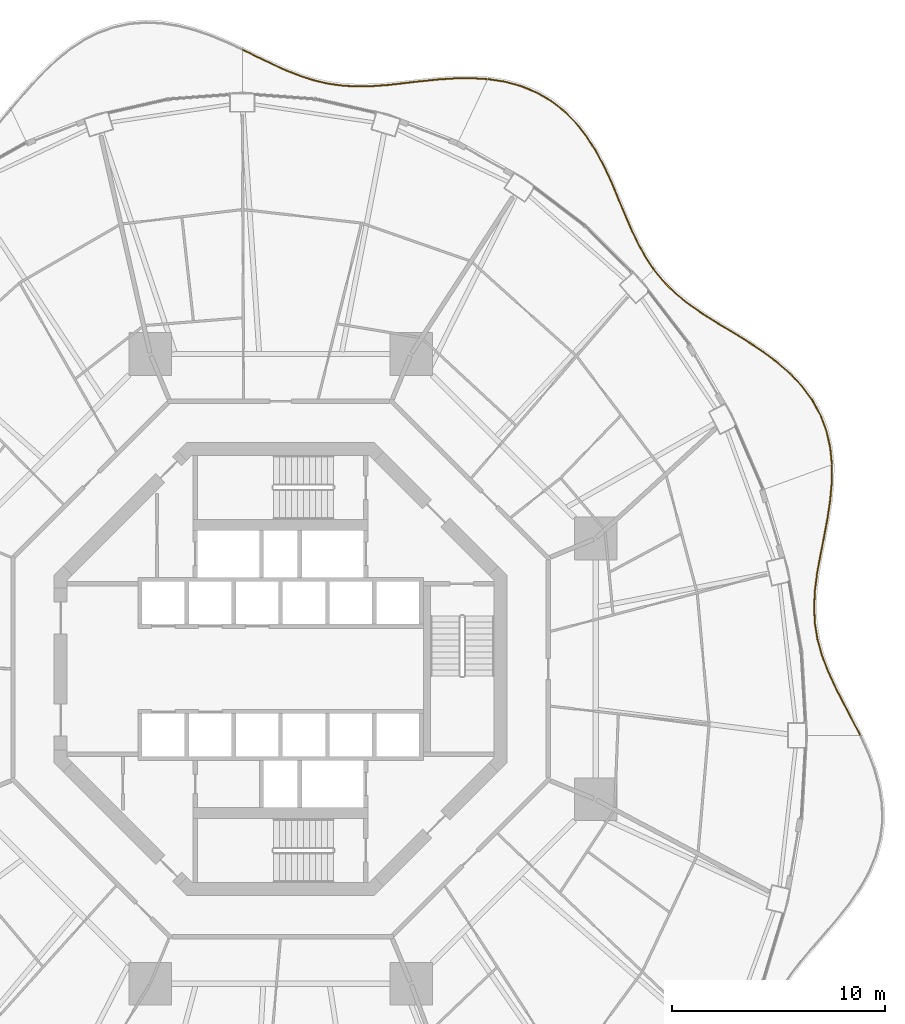
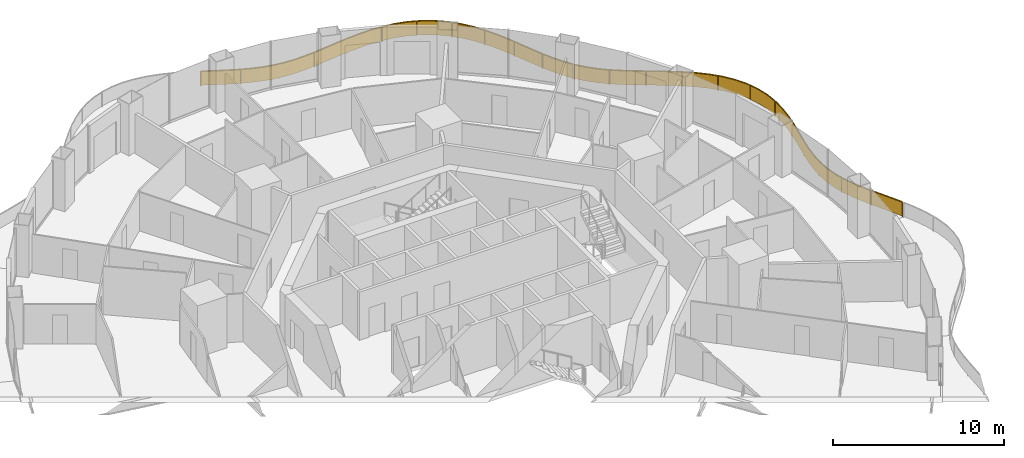
# One storey, part 20 of 20: 4 railings.
"""IFC4 building model written with IfcOpenShell, lengths in metres."""

from ifc_helpers import new_model, si_unit, direction, frame, origin, origin_2d, place, context, subcontext, project, spatial, polyline, rectangle, outline, extrude, material, type_object, element, save


model = new_model("IFC4")

# Units and contexts
model_context = context("Model", 3, precision=1e-05, world=origin(), true_north=direction((0.0, 1.0)))
body_context = subcontext(model_context, "Body", "Model", "MODEL_VIEW")
ifc_project = project(units=[si_unit("LENGTHUNIT", "METRE"), si_unit("AREAUNIT", "SQUARE_METRE"), si_unit("VOLUMEUNIT", "CUBIC_METRE"), si_unit("PLANEANGLEUNIT", "RADIAN"), si_unit("MASSUNIT", "GRAM", prefix="KILO")], contexts=[model_context])

# Site, building, storey
site_placement = place(None, origin())
site = spatial("IfcSite", under=ifc_project, at=site_placement, CompositionType="ELEMENT")
building_placement = place(site_placement, origin())
building = spatial("IfcBuilding", under=site, at=building_placement, Name="Nagisa Residences", CompositionType="ELEMENT")
storey_placement = place(building_placement, frame((0.0, 0.0, 152.89990234375)))
storey = spatial("IfcBuildingStorey", under=building, at=storey_placement, Name="L38", CompositionType="ELEMENT", Elevation=152.89990234375)

# Railings
ifc_material = material(Name="Stainless steel 316", Category="steel")
railing_type = type_object("IfcRailingType", Name="BALCONY GUARD 1100", PredefinedType="BALUSTRADE", material=ifc_material)
railing_1_placement = place(storey_placement, frame((27.181640625, -3.083740234375, 0.0)))
element("IfcRailing", 1, at=railing_1_placement, inside=storey, type_object=railing_type, Name="guard:L38:bal00-0", PredefinedType="BALUSTRADE", context=body_context, shape_type="SweptSolid", body=[
    extrude(outline(polyline([(-0.400390625, 0.731689453125), (-0.022216796875, -0.01123046875), (0.022216796875, 0.01123046875), (-0.35595703125, 0.754638671875), (-0.758544921875, 1.52197265625), (-1.141357421875, 2.274169921875), (-1.481201171875, 3.01513671875), (-1.759033203125, 3.75), (-1.960205078125, 4.471923828125), (-2.080810546875, 5.215087890625), (-2.119140625, 5.972412109375), (-2.08203125, 6.749267578125), (-1.982421875, 7.548828125), (-1.8349609375, 8.35888671875), (-1.6689453125, 9.204345703125), (-1.506103515625, 10.06689453125), (-1.371826171875, 10.939453125), (-1.29150390625, 11.813720703125), (-1.28466796875, 12.631591796875), (-1.33447265625, 12.632080078125), (-1.34130859375, 11.816162109375), (-1.421630859375, 10.94580078125), (-1.555419921875, 10.0751953125), (-1.71826171875, 9.213623046875), (-1.88427734375, 8.3681640625), (-2.03173828125, 7.556640625), (-2.1318359375, 6.753662109375), (-2.16943359375, 5.972412109375), (-2.130615234375, 5.209716796875), (-2.009033203125, 4.461181640625), (-1.806884765625, 3.734375), (-1.527587890625, 2.99560546875), (-1.186279296875, 2.252197265625), (-0.802978515625, 1.4990234375), (-0.400390625, 0.731689453125)])), frame((0.0, 0.0, 1.050048828125)), (0.0, 0.0, 1.0), 0.050048828125),
    extrude(outline(polyline([(-0.38427734375, 0.739990234375), (-0.00634765625, -0.003173828125), (0.00634765625, 0.003173828125), (-0.3720703125, 0.746337890625), (-0.774658203125, 1.513671875), (-1.157470703125, 2.26611328125), (-1.498046875, 3.008056640625), (-1.7763671875, 3.744384765625), (-1.977783203125, 4.468017578125), (-2.0986328125, 5.213134765625), (-2.13720703125, 5.972412109375), (-2.099853515625, 6.7509765625), (-2.000244140625, 7.5517578125), (-1.852783203125, 8.3623046875), (-1.686767578125, 9.207763671875), (-1.52392578125, 10.06982421875), (-1.389892578125, 10.94189453125), (-1.309326171875, 11.814697265625), (-1.302490234375, 12.6318359375), (-1.316650390625, 12.6318359375), (-1.323486328125, 11.815185546875), (-1.403564453125, 10.943359375), (-1.53759765625, 10.072265625), (-1.700439453125, 9.210205078125), (-1.866455078125, 8.36474609375), (-2.013916015625, 7.5537109375), (-2.114013671875, 6.751953125), (-2.1513671875, 5.972412109375), (-2.11279296875, 5.211669921875), (-1.991455078125, 4.465087890625), (-1.78955078125, 3.739990234375), (-1.5107421875, 3.002685546875), (-1.170166015625, 2.26025390625), (-0.786865234375, 1.50732421875), (-0.38427734375, 0.739990234375)])), frame((0.0, 0.0, 0.06005859375)), (0.0, 0.0, 1.0), 0.989990234375),
    extrude(rectangle(XDim=0.0400390625, YDim=0.0400390625, at=origin_2d()), origin(), (0.0, 0.0, 1.0), 1.050048828125),
    extrude(rectangle(XDim=0.0400390625, YDim=0.0400390625, at=origin_2d()), frame((-1.003173828125, 1.947265625, 0.0)), (0.0, 0.0, 1.0), 1.050048828125),
    extrude(rectangle(XDim=0.0400390625, YDim=0.0400390625, at=origin_2d()), frame((-1.84521484375, 3.96533203125, 0.0)), (0.0, 0.0, 1.0), 1.050048828125),
    extrude(rectangle(XDim=0.0400390625, YDim=0.0400390625, at=origin_2d()), frame((-2.136962890625, 6.1259765625, 0.0)), (0.0, 0.0, 1.0), 1.050048828125),
    extrude(rectangle(XDim=0.0400390625, YDim=0.0400390625, at=origin_2d()), frame((-1.87158203125, 8.29736328125, 0.0)), (0.0, 0.0, 1.0), 1.050048828125),
    extrude(rectangle(XDim=0.0400390625, YDim=0.0400390625, at=origin_2d()), frame((-1.472412109375, 10.450927734375, 0.0)), (0.0, 0.0, 1.0), 1.050048828125),
    extrude(rectangle(XDim=0.0400390625, YDim=0.0400390625, at=origin_2d()), frame((-1.3095703125, 12.6318359375, 0.0)), (0.0, 0.0, 1.0), 1.050048828125),
])
railing_2_placement = place(storey_placement, frame((25.869140625, 9.62548828125, 0.0)))
element("IfcRailing", 2, at=railing_2_placement, inside=storey, type_object=railing_type, Name="guard:L38:bal01-0", PredefinedType="BALUSTRADE", context=body_context, shape_type="SweptSolid", body=[
    extrude(outline(polyline([(-0.101318359375, 0.766357421875), (-0.02490234375, -0.00244140625), (0.02490234375, 0.00244140625), (-0.052001953125, 0.774658203125), (-0.2333984375, 1.56396484375), (-0.518310546875, 2.315185546875), (-0.906005859375, 3.020751953125), (-1.390625, 3.67626953125), (-1.953857421875, 4.26708984375), (-2.5927734375, 4.82080078125), (-3.281494140625, 5.330078125), (-3.99951171875, 5.802734375), (-4.7255859375, 6.250244140625), (-5.4306640625, 6.67236328125), (-6.114013671875, 7.1083984375), (-6.752685546875, 7.559814453125), (-7.336669921875, 8.039306640625), (-7.861328125, 8.55810546875), (-8.30126953125, 9.092529296875), (-8.33984375, 9.060791015625), (-7.8984375, 8.5244140625), (-7.370361328125, 8.002197265625), (-6.782958984375, 7.519775390625), (-6.141845703125, 7.06689453125), (-5.45703125, 6.6298828125), (-4.75146484375, 6.207275390625), (-4.0263671875, 5.7607421875), (-3.310302734375, 5.2890625), (-2.6240234375, 4.78173828125), (-1.988525390625, 4.23095703125), (-1.42919921875, 3.64404296875), (-0.948486328125, 2.993896484375), (-0.563720703125, 2.294189453125), (-0.28125, 1.54931640625), (-0.101318359375, 0.766357421875)])), frame((0.0, 0.0, 1.050048828125)), (0.0, 0.0, 1.0), 0.050048828125),
    extrude(outline(polyline([(-0.08349609375, 0.769287109375), (-0.007080078125, -0.000732421875), (0.007080078125, 0.000732421875), (-0.06982421875, 0.771728515625), (-0.25048828125, 1.55859375), (-0.53466796875, 2.3076171875), (-0.92138671875, 3.010986328125), (-1.404541015625, 3.66455078125), (-1.96630859375, 4.254150390625), (-2.60400390625, 4.806640625), (-3.2919921875, 5.3154296875), (-4.00927734375, 5.78759765625), (-4.73486328125, 6.23486328125), (-5.440185546875, 6.656982421875), (-6.1240234375, 7.093505859375), (-6.763671875, 7.54541015625), (-7.348876953125, 8.02587890625), (-7.874755859375, 8.5458984375), (-8.315185546875, 9.0810546875), (-8.325927734375, 9.072265625), (-7.885009765625, 8.53662109375), (-7.358154296875, 8.015625), (-6.77197265625, 7.5341796875), (-6.1318359375, 7.081787109375), (-5.447509765625, 6.645263671875), (-4.7421875, 6.22265625), (-4.0166015625, 5.77587890625), (-3.2998046875, 5.3037109375), (-2.61279296875, 4.7958984375), (-1.97607421875, 4.243896484375), (-1.415283203125, 3.65576171875), (-0.93310546875, 3.003662109375), (-0.54736328125, 2.3017578125), (-0.26416015625, 1.5546875), (-0.08349609375, 0.769287109375)])), frame((0.0, 0.0, 0.06005859375)), (0.0, 0.0, 1.0), 0.989990234375),
    extrude(rectangle(XDim=0.0400390625, YDim=0.0400390625, at=origin_2d()), origin(), (0.0, 0.0, 1.0), 1.050048828125),
    extrude(rectangle(XDim=0.0400390625, YDim=0.0400390625, at=origin_2d()), frame((-0.454833984375, 2.0771484375, 0.0)), (0.0, 0.0, 1.0), 1.050048828125),
    extrude(rectangle(XDim=0.0400390625, YDim=0.0400390625, at=origin_2d()), frame((-1.603515625, 3.86328125, 0.0)), (0.0, 0.0, 1.0), 1.050048828125),
    extrude(rectangle(XDim=0.0400390625, YDim=0.0400390625, at=origin_2d()), frame((-3.220703125, 5.25390625, 0.0)), (0.0, 0.0, 1.0), 1.050048828125),
    extrude(rectangle(XDim=0.0400390625, YDim=0.0400390625, at=origin_2d()), frame((-5.024658203125, 6.400146484375, 0.0)), (0.0, 0.0, 1.0), 1.050048828125),
    extrude(rectangle(XDim=0.0400390625, YDim=0.0400390625, at=origin_2d()), frame((-6.8095703125, 7.573974609375, 0.0)), (0.0, 0.0, 1.0), 1.050048828125),
    extrude(rectangle(XDim=0.0400390625, YDim=0.0400390625, at=origin_2d()), frame((-8.320556640625, 9.07666015625, 0.0)), (0.0, 0.0, 1.0), 1.050048828125),
])
railing_3_placement = place(storey_placement, frame((17.508056640625, 18.758056640625, 0.0)))
element("IfcRailing", 3, at=railing_3_placement, inside=storey, type_object=railing_type, Name="guard:L38:bal02-0", PredefinedType="BALUSTRADE", context=body_context, shape_type="SweptSolid", body=[
    extrude(outline(polyline([(-0.392578125, 0.541259765625), (-0.020751953125, -0.013916015625), (0.020751953125, 0.013916015625), (-0.349609375, 0.567626953125), (-0.703125, 1.202880859375), (-1.02734375, 1.881591796875), (-1.3359375, 2.59716796875), (-1.642822265625, 3.338134765625), (-1.9521484375, 4.080810546875), (-2.301513671875, 4.830322265625), (-2.691650390625, 5.55859375), (-3.132568359375, 6.24853515625), (-3.631591796875, 6.883544921875), (-4.18017578125, 7.441162109375), (-4.80029296875, 7.924072265625), (-5.48046875, 8.31884765625), (-6.211669921875, 8.62060546875), (-6.985107421875, 8.830078125), (-7.742919921875, 8.94384765625), (-7.750244140625, 8.89453125), (-6.995361328125, 8.78125), (-6.227783203125, 8.5732421875), (-5.50244140625, 8.27392578125), (-4.828125, 7.882568359375), (-4.21337890625, 7.403564453125), (-3.669189453125, 6.850341796875), (-3.173583984375, 6.2197265625), (-2.734619140625, 5.533203125), (-2.346435546875, 4.807861328125), (-1.998046875, 4.060791015625), (-1.689208984375, 3.319091796875), (-1.3818359375, 2.57763671875), (-1.07275390625, 1.861083984375), (-0.74755859375, 1.179931640625), (-0.392578125, 0.541259765625)])), frame((0.0, 0.0, 1.050048828125)), (0.0, 0.0, 1.0), 0.050048828125),
    extrude(outline(polyline([(-0.376953125, 0.55078125), (-0.005859375, -0.00390625), (0.005859375, 0.00390625), (-0.365234375, 0.55810546875), (-0.71923828125, 1.194580078125), (-1.043701171875, 1.874267578125), (-1.3525390625, 2.590087890625), (-1.65966796875, 3.331298828125), (-1.96875, 4.07373046875), (-2.317626953125, 4.822265625), (-2.70703125, 5.549560546875), (-3.1474609375, 6.23828125), (-3.64501953125, 6.87158203125), (-4.192138671875, 7.427490234375), (-4.810302734375, 7.9091796875), (-5.48828125, 8.302734375), (-6.217529296875, 8.603515625), (-6.98876953125, 8.8125), (-7.74560546875, 8.926025390625), (-7.74755859375, 8.912353515625), (-6.99169921875, 8.798828125), (-6.221923828125, 8.59033203125), (-5.49462890625, 8.2900390625), (-4.818115234375, 7.8974609375), (-4.201416015625, 7.417236328125), (-3.65576171875, 6.8623046875), (-3.15869140625, 6.22998046875), (-2.71923828125, 5.542236328125), (-2.330322265625, 4.81591796875), (-1.9814453125, 4.06787109375), (-1.67236328125, 3.325927734375), (-1.365234375, 2.584716796875), (-1.056396484375, 1.868408203125), (-0.7314453125, 1.188232421875), (-0.376953125, 0.55078125)])), frame((0.0, 0.0, 0.06005859375)), (0.0, 0.0, 1.0), 0.989990234375),
    extrude(rectangle(XDim=0.0400390625, YDim=0.0400390625, at=origin_2d()), origin(), (0.0, 0.0, 1.0), 1.050048828125),
    extrude(rectangle(XDim=0.0400390625, YDim=0.0400390625, at=origin_2d()), frame((-1.021728515625, 1.81201171875, 0.0)), (0.0, 0.0, 1.0), 1.050048828125),
    extrude(rectangle(XDim=0.0400390625, YDim=0.0400390625, at=origin_2d()), frame((-1.833740234375, 3.731201171875, 0.0)), (0.0, 0.0, 1.0), 1.050048828125),
    extrude(rectangle(XDim=0.0400390625, YDim=0.0400390625, at=origin_2d()), frame((-2.74853515625, 5.601318359375, 0.0)), (0.0, 0.0, 1.0), 1.050048828125),
    extrude(rectangle(XDim=0.0400390625, YDim=0.0400390625, at=origin_2d()), frame((-4.020751953125, 7.243408203125, 0.0)), (0.0, 0.0, 1.0), 1.050048828125),
    extrude(rectangle(XDim=0.0400390625, YDim=0.0400390625, at=origin_2d()), frame((-5.73828125, 8.398193359375, 0.0)), (0.0, 0.0, 1.0), 1.050048828125),
    extrude(rectangle(XDim=0.0400390625, YDim=0.0400390625, at=origin_2d()), frame((-7.74658203125, 8.919189453125, 0.0)), (0.0, 0.0, 1.0), 1.050048828125),
])
railing_4_placement = place(storey_placement, frame((9.6845703125, 27.684326171875, 0.0)))
element("IfcRailing", 4, at=railing_4_placement, inside=storey, type_object=railing_type, Name="guard:L38:bal03-0", PredefinedType="BALUSTRADE", context=body_context, shape_type="SweptSolid", body=[
    extrude(outline(polyline([(-0.746337890625, 0.01611328125), (-0.00146484375, -0.02490234375), (0.00146484375, 0.02490234375), (-0.745361328125, 0.06640625), (-1.547607421875, 0.0546875), (-2.348388671875, 0.00048828125), (-3.138916015625, -0.079833984375), (-3.9130859375, -0.16845703125), (-4.6494140625, -0.2529296875), (-5.37939453125, -0.306640625), (-6.086669921875, -0.320556640625), (-6.7744140625, -0.284912109375), (-7.446533203125, -0.191650390625), (-8.091796875, -0.04150390625), (-8.751220703125, 0.16943359375), (-9.4150390625, 0.431884765625), (-10.08837890625, 0.736328125), (-10.7763671875, 1.068115234375), (-11.439697265625, 1.393310546875), (-11.461669921875, 1.348388671875), (-10.79833984375, 1.023193359375), (-10.109375, 0.69091796875), (-9.4345703125, 0.385986328125), (-8.768310546875, 0.1220703125), (-8.10498046875, -0.08984375), (-7.455810546875, -0.240966796875), (-6.779296875, -0.334716796875), (-6.087646484375, -0.370849609375), (-5.376953125, -0.3564453125), (-4.64453125, -0.302734375), (-3.9072265625, -0.21826171875), (-3.133544921875, -0.129638671875), (-2.343994140625, -0.04931640625), (-1.545654296875, 0.0048828125), (-0.746337890625, 0.01611328125)])), frame((0.0, 0.0, 1.050048828125)), (0.0, 0.0, 1.0), 0.050048828125),
    extrude(outline(polyline([(-0.74609375, 0.0341796875), (-0.00048828125, -0.007080078125), (0.00048828125, 0.007080078125), (-0.74560546875, 0.04833984375), (-1.546875, 0.036865234375), (-2.3466796875, -0.017333984375), (-3.136962890625, -0.09765625), (-3.910888671875, -0.1865234375), (-4.647705078125, -0.270751953125), (-5.37841796875, -0.324462890625), (-6.087158203125, -0.338623046875), (-6.776123046875, -0.302734375), (-7.449951171875, -0.20947265625), (-8.096435546875, -0.058837890625), (-8.75732421875, 0.15234375), (-9.422119140625, 0.415283203125), (-10.095947265625, 0.719970703125), (-10.7841796875, 1.052001953125), (-11.447509765625, 1.377197265625), (-11.453857421875, 1.364501953125), (-10.79052734375, 1.039306640625), (-10.101806640625, 0.707275390625), (-9.427490234375, 0.402587890625), (-8.76220703125, 0.13916015625), (-8.100341796875, -0.072509765625), (-7.452392578125, -0.22314453125), (-6.777587890625, -0.31689453125), (-6.087158203125, -0.352783203125), (-5.3779296875, -0.338623046875), (-4.646240234375, -0.284912109375), (-3.909423828125, -0.2001953125), (-3.135498046875, -0.11181640625), (-2.345703125, -0.031494140625), (-1.54638671875, 0.022705078125), (-0.74609375, 0.0341796875)])), frame((0.0, 0.0, 0.06005859375)), (0.0, 0.0, 1.0), 0.989990234375),
    extrude(rectangle(XDim=0.0400390625, YDim=0.0400390625, at=origin_2d()), origin(), (0.0, 0.0, 1.0), 1.050048828125),
    extrude(rectangle(XDim=0.0400390625, YDim=0.0400390625, at=origin_2d()), frame((-2.355712890625, -0.025390625, 0.0)), (0.0, 0.0, 1.0), 1.050048828125),
    extrude(rectangle(XDim=0.0400390625, YDim=0.0400390625, at=origin_2d()), frame((-4.70068359375, -0.28173828125, 0.0)), (0.0, 0.0, 1.0), 1.050048828125),
    extrude(rectangle(XDim=0.0400390625, YDim=0.0400390625, at=origin_2d()), frame((-7.053955078125, -0.271484375, 0.0)), (0.0, 0.0, 1.0), 1.050048828125),
    extrude(rectangle(XDim=0.0400390625, YDim=0.0400390625, at=origin_2d()), frame((-9.31689453125, 0.3662109375, 0.0)), (0.0, 0.0, 1.0), 1.050048828125),
    extrude(rectangle(XDim=0.0400390625, YDim=0.0400390625, at=origin_2d()), frame((-11.45068359375, 1.370849609375, 0.0)), (0.0, 0.0, 1.0), 1.050048828125),
])

save(model, "model.ifc")
